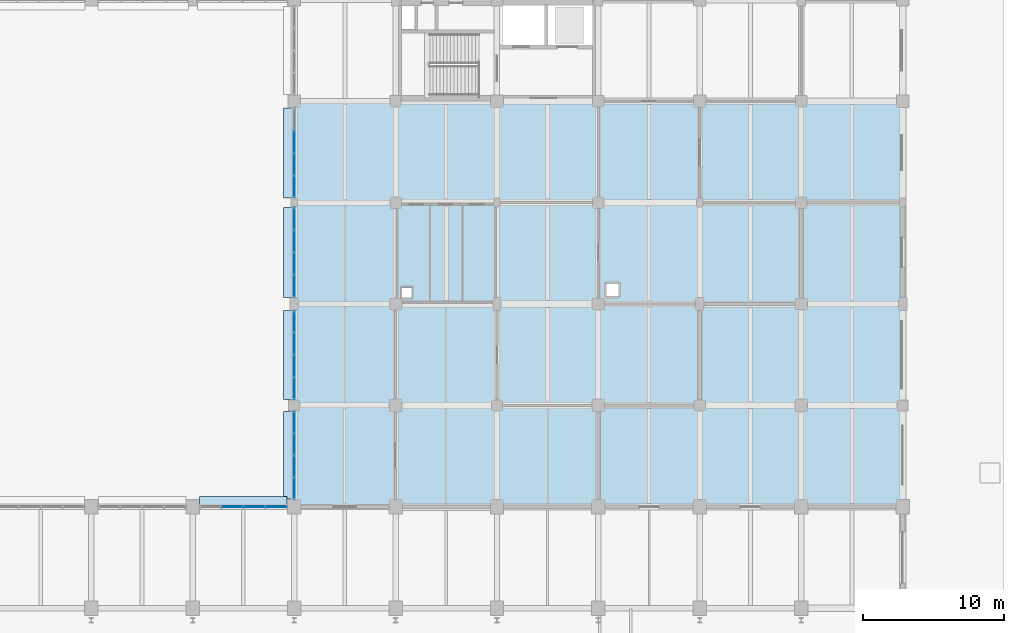
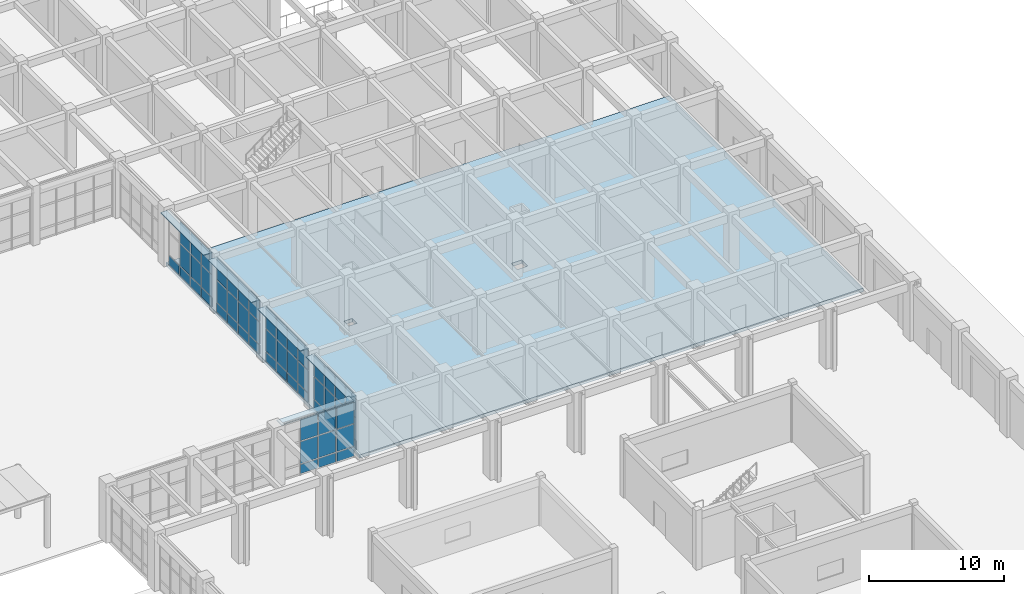
# One storey, part 130 of 160: 60 plates, 1 slab, 5 elements without a shape of their own.
"""IFC4 building model written with IfcOpenShell, lengths in metres."""

from ifc_helpers import new_model, si_unit, direction, frame, origin, origin_2d, place, context, subcontext, project, spatial, polyline, rectangle, outline, extrude, material, layer, layer_set, type_object, element, aggregate, save


model = new_model("IFC4")

# Units and contexts
model_context = context("Model", 3, precision=1e-05, world=origin(), true_north=direction((0.0, 1.0)))
body_context = subcontext(model_context, "Body", "Model", "MODEL_VIEW")
ifc_project = project(units=[si_unit("LENGTHUNIT", "METRE"), si_unit("AREAUNIT", "SQUARE_METRE"), si_unit("VOLUMEUNIT", "CUBIC_METRE"), si_unit("PLANEANGLEUNIT", "RADIAN"), si_unit("MASSUNIT", "GRAM", prefix="KILO")], contexts=[model_context])

# Site, building, storey
site_placement = place(None, origin())
site = spatial("IfcSite", under=ifc_project, at=site_placement, CompositionType="ELEMENT")
building_placement = place(site_placement, origin())
building = spatial("IfcBuilding", under=site, at=building_placement, Name="Thalmaran Polytechnic", CompositionType="ELEMENT")
storey_placement = place(building_placement, origin())
storey = spatial("IfcBuildingStorey", under=building, at=storey_placement, Name="L00", CompositionType="ELEMENT", Elevation=0.0)

# Plates
ifc_material_1 = material(Name="Anodised aluminium sun-hood eyebrow", Category="aluminium")
ifc_layer_1 = layer(ifc_material_1, 0.0849609375, Name="Anodised aluminium sun-hood eyebrow")
ifc_layer_set_1 = layer_set([ifc_layer_1], Name="Anodised aluminium sun-hood eyebrow")
plate_type_1 = type_object("IfcPlateType", Name="PT-EB01", PredefinedType="SHEET", material=ifc_layer_set_1)
plate_1_placement = place(storey_placement, frame((126.0, 57.9599609375, 4.987548828125), z_axis=(0.0, 0.0, 1.0), x_axis=(1.0, 0.0, 0.0)))
element("IfcPlate", 1, at=plate_1_placement, inside=storey, type_object=plate_type_1, Name="Streamline Sun-Hood Eyebrow L00-CW066", PredefinedType="SHEET", context=body_context, shape_type="SweptSolid", body=[
    extrude(rectangle(XDim=6.2099609375, YDim=0.760009765625, at=origin_2d()), origin(), (0.0, 0.0, 1.0), 0.0849609375),
])
plate_2_placement = place(storey_placement, frame((129.239990234375, 61.262451171875, 4.987548828125), z_axis=(0.0, 0.0, 1.0), x_axis=(0.0, 1.0, 0.0)))
element("IfcPlate", 2, at=plate_2_placement, inside=storey, type_object=plate_type_1, Name="Streamline Sun-Hood Eyebrow L00-CW067", PredefinedType="SHEET", context=body_context, shape_type="SweptSolid", body=[
    extrude(rectangle(XDim=6.235107421875, YDim=0.760009765625, at=origin_2d()), origin(), (0.0, 0.0, 1.0), 0.0849609375),
])
plate_3_placement = place(storey_placement, frame((129.239990234375, 68.375, 4.987548828125), z_axis=(0.0, 0.0, 1.0), x_axis=(0.0, 1.0, 0.0)))
element("IfcPlate", 3, at=plate_3_placement, inside=storey, type_object=plate_type_1, Name="Streamline Sun-Hood Eyebrow L00-CW068", PredefinedType="SHEET", context=body_context, shape_type="SweptSolid", body=[
    extrude(rectangle(XDim=6.31005859375, YDim=0.760009765625, at=origin_2d()), origin(), (0.0, 0.0, 1.0), 0.0849609375),
])
for number, where, z_axis, x_axis, name in (
    (4, (129.239990234375, 75.66259765625, 4.987548828125), (0.0, 0.0, 1.0), (0.0, 1.0, 0.0), "Streamline Sun-Hood Eyebrow L00-CW069"),
    (5, (129.239990234375, 82.737548828125, 4.987548828125), (0.0, 0.0, 1.0), (0.0, 1.0, 0.0), "Streamline Sun-Hood Eyebrow L00-CW070"),
):
    element("IfcPlate", number, at=place(storey_placement, frame(where, z_axis=z_axis, x_axis=x_axis)), inside=storey, type_object=plate_type_1, Name=name, PredefinedType="SHEET", context=body_context, shape_type="SweptSolid", body=[
        extrude(rectangle(XDim=6.385009765625, YDim=0.760009765625, at=origin_2d()), origin(), (0.0, 0.0, 1.0), 0.0849609375),
    ])

# Curtain wall, plates
ifc_material_2 = material(Name="Aluminium 6063-T6", Category="aluminium")
curtain_wall_type = type_object("IfcCurtainWallType", Name="CW-UC01", PredefinedType="USERDEFINED", material=ifc_material_2)
curtain_wall_1_placement = place(storey_placement, origin())
curtain_wall_1 = element("IfcCurtainWall", 6, at=curtain_wall_1_placement, inside=storey, type_object=curtain_wall_type, Name="Curtain Wall CW-L00-070", ObjectType="UNITISED CURTAIN WALL", PredefinedType="USERDEFINED")
ifc_material_3 = material(Name="Solar-control double low-E glass", Category="glass")
ifc_layer_2 = layer(ifc_material_3, 0.035888671875, Name="Solar-control double low-E glass")
ifc_layer_set_2 = layer_set([ifc_layer_2], Name="Solar-control double low-E glass")
plate_type_2 = type_object("IfcPlateType", Name="PT-GL01", PredefinedType="CURTAIN_PANEL", material=ifc_layer_set_2)
plate_4_placement = place(storey_placement, frame((129.60009765625, 80.328125, 1.0), z_axis=(0.0, 0.0, 1.0), x_axis=(0.0, 1.0, 0.0)))
plate_4 = element("IfcPlate", 7, at=plate_4_placement, type_object=plate_type_2, Name="CW-L00-070 Vision Panel 1-2", PredefinedType="CURTAIN_PANEL", context=body_context, shape_type="SweptSolid", body=[
    extrude(rectangle(XDim=1.506103515625, YDim=0.035888671875, at=origin_2d()), origin(), (0.0, 0.0, 1.0), 1.985107421875),
])
plate_5_placement = place(storey_placement, frame((129.60009765625, 80.328125, 3.06494140625), z_axis=(0.0, 0.0, 1.0), x_axis=(0.0, 1.0, 0.0)))
plate_5 = element("IfcPlate", 8, at=plate_5_placement, type_object=plate_type_2, Name="CW-L00-070 Vision Panel 1-3", PredefinedType="CURTAIN_PANEL", context=body_context, shape_type="SweptSolid", body=[
    extrude(rectangle(XDim=1.506103515625, YDim=0.035888671875, at=origin_2d()), origin(), (0.0, 0.0, 1.0), 1.925048828125),
])
plate_6_placement = place(storey_placement, frame((129.60009765625, 81.934326171875, 1.0), z_axis=(0.0, 0.0, 1.0), x_axis=(0.0, 1.0, 0.0)))
plate_6 = element("IfcPlate", 9, at=plate_6_placement, type_object=plate_type_2, Name="CW-L00-070 Vision Panel 2-2", PredefinedType="CURTAIN_PANEL", context=body_context, shape_type="SweptSolid", body=[
    extrude(rectangle(XDim=1.506103515625, YDim=0.035888671875, at=origin_2d()), origin(), (0.0, 0.0, 1.0), 1.985107421875),
])
plate_7_placement = place(storey_placement, frame((129.60009765625, 81.934326171875, 3.06494140625), z_axis=(0.0, 0.0, 1.0), x_axis=(0.0, 1.0, 0.0)))
plate_7 = element("IfcPlate", 10, at=plate_7_placement, type_object=plate_type_2, Name="CW-L00-070 Vision Panel 2-3", PredefinedType="CURTAIN_PANEL", context=body_context, shape_type="SweptSolid", body=[
    extrude(rectangle(XDim=1.506103515625, YDim=0.035888671875, at=origin_2d()), origin(), (0.0, 0.0, 1.0), 1.925048828125),
])
plate_8_placement = place(storey_placement, frame((129.60009765625, 83.54052734375, 1.0), z_axis=(0.0, 0.0, 1.0), x_axis=(0.0, 1.0, 0.0)))
plate_8 = element("IfcPlate", 11, at=plate_8_placement, type_object=plate_type_2, Name="CW-L00-070 Vision Panel 3-2", PredefinedType="CURTAIN_PANEL", context=body_context, shape_type="SweptSolid", body=[
    extrude(rectangle(XDim=1.506103515625, YDim=0.035888671875, at=origin_2d()), origin(), (0.0, 0.0, 1.0), 1.985107421875),
])
plate_9_placement = place(storey_placement, frame((129.60009765625, 83.54052734375, 3.06494140625), z_axis=(0.0, 0.0, 1.0), x_axis=(0.0, 1.0, 0.0)))
plate_9 = element("IfcPlate", 12, at=plate_9_placement, type_object=plate_type_2, Name="CW-L00-070 Vision Panel 3-3", PredefinedType="CURTAIN_PANEL", context=body_context, shape_type="SweptSolid", body=[
    extrude(rectangle(XDim=1.506103515625, YDim=0.035888671875, at=origin_2d()), origin(), (0.0, 0.0, 1.0), 1.925048828125),
])

curtain_wall_2_placement = place(storey_placement, origin())
curtain_wall_2 = element("IfcCurtainWall", 13, at=curtain_wall_2_placement, inside=storey, type_object=curtain_wall_type, Name="Curtain Wall CW-L00-066", ObjectType="UNITISED CURTAIN WALL", PredefinedType="USERDEFINED")
ifc_layer_3 = layer(ifc_material_3, 0.035888671875, Name="Solar-control double low-E glass")
ifc_layer_set_3 = layer_set([ifc_layer_3], Name="Solar-control double low-E glass")
plate_type_3 = type_object("IfcPlateType", Name="PT-GL02", PredefinedType="CURTAIN_PANEL", material=ifc_layer_set_3)
plate_10_placement = place(storey_placement, frame((125.21875, 57.60009765625, 1.0), z_axis=(0.0, 0.0, 1.0), x_axis=(1.0, 0.0, 0.0)))
plate_10 = element("IfcPlate", 14, at=plate_10_placement, type_object=plate_type_3, Name="CW-L00-066 Vision Panel 2-2", PredefinedType="CURTAIN_PANEL", context=body_context, shape_type="SweptSolid", body=[
    extrude(rectangle(XDim=1.46240234375, YDim=0.035888671875, at=origin_2d()), origin(), (0.0, 0.0, 1.0), 1.985107421875),
])
plate_11_placement = place(storey_placement, frame((125.21875, 57.60009765625, 3.06494140625), z_axis=(0.0, 0.0, 1.0), x_axis=(1.0, 0.0, 0.0)))
plate_11 = element("IfcPlate", 15, at=plate_11_placement, type_object=plate_type_3, Name="CW-L00-066 Vision Panel 2-3", PredefinedType="CURTAIN_PANEL", context=body_context, shape_type="SweptSolid", body=[
    extrude(rectangle(XDim=1.46240234375, YDim=0.035888671875, at=origin_2d()), origin(), (0.0, 0.0, 1.0), 1.925048828125),
])
plate_12_placement = place(storey_placement, frame((126.78125, 57.60009765625, 1.0), z_axis=(0.0, 0.0, 1.0), x_axis=(1.0, 0.0, 0.0)))
plate_12 = element("IfcPlate", 16, at=plate_12_placement, type_object=plate_type_3, Name="CW-L00-066 Vision Panel 3-2", PredefinedType="CURTAIN_PANEL", context=body_context, shape_type="SweptSolid", body=[
    extrude(rectangle(XDim=1.46240234375, YDim=0.035888671875, at=origin_2d()), origin(), (0.0, 0.0, 1.0), 1.985107421875),
])
plate_13_placement = place(storey_placement, frame((126.78125, 57.60009765625, 3.06494140625), z_axis=(0.0, 0.0, 1.0), x_axis=(1.0, 0.0, 0.0)))
plate_13 = element("IfcPlate", 17, at=plate_13_placement, type_object=plate_type_3, Name="CW-L00-066 Vision Panel 3-3", PredefinedType="CURTAIN_PANEL", context=body_context, shape_type="SweptSolid", body=[
    extrude(rectangle(XDim=1.46240234375, YDim=0.035888671875, at=origin_2d()), origin(), (0.0, 0.0, 1.0), 1.925048828125),
])
plate_14_placement = place(storey_placement, frame((128.34375, 57.60009765625, 1.0), z_axis=(0.0, 0.0, 1.0), x_axis=(1.0, 0.0, 0.0)))
plate_14 = element("IfcPlate", 18, at=plate_14_placement, type_object=plate_type_3, Name="CW-L00-066 Vision Panel 4-2", PredefinedType="CURTAIN_PANEL", context=body_context, shape_type="SweptSolid", body=[
    extrude(rectangle(XDim=1.46240234375, YDim=0.035888671875, at=origin_2d()), origin(), (0.0, 0.0, 1.0), 1.985107421875),
])
plate_15_placement = place(storey_placement, frame((128.34375, 57.60009765625, 3.06494140625), z_axis=(0.0, 0.0, 1.0), x_axis=(1.0, 0.0, 0.0)))
plate_15 = element("IfcPlate", 19, at=plate_15_placement, type_object=plate_type_3, Name="CW-L00-066 Vision Panel 4-3", PredefinedType="CURTAIN_PANEL", context=body_context, shape_type="SweptSolid", body=[
    extrude(rectangle(XDim=1.46240234375, YDim=0.035888671875, at=origin_2d()), origin(), (0.0, 0.0, 1.0), 1.925048828125),
])

curtain_wall_3_placement = place(storey_placement, origin())
curtain_wall_3 = element("IfcCurtainWall", 20, at=curtain_wall_3_placement, inside=storey, type_object=curtain_wall_type, Name="Curtain Wall CW-L00-067", ObjectType="UNITISED CURTAIN WALL", PredefinedType="USERDEFINED")
ifc_layer_4 = layer(ifc_material_3, 0.035888671875, Name="Solar-control double low-E glass")
ifc_layer_set_4 = layer_set([ifc_layer_4], Name="Solar-control double low-E glass")
plate_type_4 = type_object("IfcPlateType", Name="PT-GL03", PredefinedType="CURTAIN_PANEL", material=ifc_layer_set_4)
plate_16_placement = place(storey_placement, frame((129.60009765625, 58.909423828125, 1.0), z_axis=(0.0, 0.0, 1.0), x_axis=(0.0, 1.0, 0.0)))
plate_16 = element("IfcPlate", 21, at=plate_16_placement, type_object=plate_type_4, Name="CW-L00-067 Vision Panel 1-2", PredefinedType="CURTAIN_PANEL", context=body_context, shape_type="SweptSolid", body=[
    extrude(rectangle(XDim=1.46875, YDim=0.035888671875, at=origin_2d()), origin(), (0.0, 0.0, 1.0), 1.985107421875),
])
plate_17_placement = place(storey_placement, frame((129.60009765625, 58.909423828125, 3.06494140625), z_axis=(0.0, 0.0, 1.0), x_axis=(0.0, 1.0, 0.0)))
plate_17 = element("IfcPlate", 22, at=plate_17_placement, type_object=plate_type_4, Name="CW-L00-067 Vision Panel 1-3", PredefinedType="CURTAIN_PANEL", context=body_context, shape_type="SweptSolid", body=[
    extrude(rectangle(XDim=1.46875, YDim=0.035888671875, at=origin_2d()), origin(), (0.0, 0.0, 1.0), 1.925048828125),
])
plate_18_placement = place(storey_placement, frame((129.60009765625, 60.47802734375, 1.0), z_axis=(0.0, 0.0, 1.0), x_axis=(0.0, 1.0, 0.0)))
plate_18 = element("IfcPlate", 23, at=plate_18_placement, type_object=plate_type_4, Name="CW-L00-067 Vision Panel 2-2", PredefinedType="CURTAIN_PANEL", context=body_context, shape_type="SweptSolid", body=[
    extrude(rectangle(XDim=1.46875, YDim=0.035888671875, at=origin_2d()), origin(), (0.0, 0.0, 1.0), 1.985107421875),
])
plate_19_placement = place(storey_placement, frame((129.60009765625, 60.47802734375, 3.06494140625), z_axis=(0.0, 0.0, 1.0), x_axis=(0.0, 1.0, 0.0)))
plate_19 = element("IfcPlate", 24, at=plate_19_placement, type_object=plate_type_4, Name="CW-L00-067 Vision Panel 2-3", PredefinedType="CURTAIN_PANEL", context=body_context, shape_type="SweptSolid", body=[
    extrude(rectangle(XDim=1.46875, YDim=0.035888671875, at=origin_2d()), origin(), (0.0, 0.0, 1.0), 1.925048828125),
])
plate_20_placement = place(storey_placement, frame((129.60009765625, 62.046875, 1.0), z_axis=(0.0, 0.0, 1.0), x_axis=(0.0, 1.0, 0.0)))
plate_20 = element("IfcPlate", 25, at=plate_20_placement, type_object=plate_type_4, Name="CW-L00-067 Vision Panel 3-2", PredefinedType="CURTAIN_PANEL", context=body_context, shape_type="SweptSolid", body=[
    extrude(rectangle(XDim=1.46875, YDim=0.035888671875, at=origin_2d()), origin(), (0.0, 0.0, 1.0), 1.985107421875),
])
plate_21_placement = place(storey_placement, frame((129.60009765625, 62.046875, 3.06494140625), z_axis=(0.0, 0.0, 1.0), x_axis=(0.0, 1.0, 0.0)))
plate_21 = element("IfcPlate", 26, at=plate_21_placement, type_object=plate_type_4, Name="CW-L00-067 Vision Panel 3-3", PredefinedType="CURTAIN_PANEL", context=body_context, shape_type="SweptSolid", body=[
    extrude(rectangle(XDim=1.46875, YDim=0.035888671875, at=origin_2d()), origin(), (0.0, 0.0, 1.0), 1.925048828125),
])
plate_22_placement = place(storey_placement, frame((129.60009765625, 63.61572265625, 1.0), z_axis=(0.0, 0.0, 1.0), x_axis=(0.0, 1.0, 0.0)))
plate_22 = element("IfcPlate", 27, at=plate_22_placement, type_object=plate_type_4, Name="CW-L00-067 Vision Panel 4-2", PredefinedType="CURTAIN_PANEL", context=body_context, shape_type="SweptSolid", body=[
    extrude(rectangle(XDim=1.46875, YDim=0.035888671875, at=origin_2d()), origin(), (0.0, 0.0, 1.0), 1.985107421875),
])
plate_23_placement = place(storey_placement, frame((129.60009765625, 63.61572265625, 3.06494140625), z_axis=(0.0, 0.0, 1.0), x_axis=(0.0, 1.0, 0.0)))
plate_23 = element("IfcPlate", 28, at=plate_23_placement, type_object=plate_type_4, Name="CW-L00-067 Vision Panel 4-3", PredefinedType="CURTAIN_PANEL", context=body_context, shape_type="SweptSolid", body=[
    extrude(rectangle(XDim=1.46875, YDim=0.035888671875, at=origin_2d()), origin(), (0.0, 0.0, 1.0), 1.925048828125),
])

curtain_wall_4_placement = place(storey_placement, origin())
curtain_wall_4 = element("IfcCurtainWall", 29, at=curtain_wall_4_placement, inside=storey, type_object=curtain_wall_type, Name="Curtain Wall CW-L00-068", ObjectType="UNITISED CURTAIN WALL", PredefinedType="USERDEFINED")
ifc_layer_5 = layer(ifc_material_3, 0.035888671875, Name="Solar-control double low-E glass")
ifc_layer_set_5 = layer_set([ifc_layer_5], Name="Solar-control double low-E glass")
plate_type_5 = type_object("IfcPlateType", Name="PT-GL04", PredefinedType="CURTAIN_PANEL", material=ifc_layer_set_5)
plate_24_placement = place(storey_placement, frame((129.60009765625, 65.99365234375, 1.0), z_axis=(0.0, 0.0, 1.0), x_axis=(0.0, 1.0, 0.0)))
plate_24 = element("IfcPlate", 30, at=plate_24_placement, type_object=plate_type_5, Name="CW-L00-068 Vision Panel 1-2", PredefinedType="CURTAIN_PANEL", context=body_context, shape_type="SweptSolid", body=[
    extrude(rectangle(XDim=1.487548828125, YDim=0.035888671875, at=origin_2d()), origin(), (0.0, 0.0, 1.0), 1.985107421875),
])
plate_25_placement = place(storey_placement, frame((129.60009765625, 65.99365234375, 3.06494140625), z_axis=(0.0, 0.0, 1.0), x_axis=(0.0, 1.0, 0.0)))
plate_25 = element("IfcPlate", 31, at=plate_25_placement, type_object=plate_type_5, Name="CW-L00-068 Vision Panel 1-3", PredefinedType="CURTAIN_PANEL", context=body_context, shape_type="SweptSolid", body=[
    extrude(rectangle(XDim=1.487548828125, YDim=0.035888671875, at=origin_2d()), origin(), (0.0, 0.0, 1.0), 1.925048828125),
])
plate_26_placement = place(storey_placement, frame((129.60009765625, 67.581298828125, 1.0), z_axis=(0.0, 0.0, 1.0), x_axis=(0.0, 1.0, 0.0)))
plate_26 = element("IfcPlate", 32, at=plate_26_placement, type_object=plate_type_5, Name="CW-L00-068 Vision Panel 2-2", PredefinedType="CURTAIN_PANEL", context=body_context, shape_type="SweptSolid", body=[
    extrude(rectangle(XDim=1.487548828125, YDim=0.035888671875, at=origin_2d()), origin(), (0.0, 0.0, 1.0), 1.985107421875),
])
plate_27_placement = place(storey_placement, frame((129.60009765625, 67.581298828125, 3.06494140625), z_axis=(0.0, 0.0, 1.0), x_axis=(0.0, 1.0, 0.0)))
plate_27 = element("IfcPlate", 33, at=plate_27_placement, type_object=plate_type_5, Name="CW-L00-068 Vision Panel 2-3", PredefinedType="CURTAIN_PANEL", context=body_context, shape_type="SweptSolid", body=[
    extrude(rectangle(XDim=1.487548828125, YDim=0.035888671875, at=origin_2d()), origin(), (0.0, 0.0, 1.0), 1.925048828125),
])
plate_28_placement = place(storey_placement, frame((129.60009765625, 69.168701171875, 1.0), z_axis=(0.0, 0.0, 1.0), x_axis=(0.0, 1.0, 0.0)))
plate_28 = element("IfcPlate", 34, at=plate_28_placement, type_object=plate_type_5, Name="CW-L00-068 Vision Panel 3-2", PredefinedType="CURTAIN_PANEL", context=body_context, shape_type="SweptSolid", body=[
    extrude(rectangle(XDim=1.487548828125, YDim=0.035888671875, at=origin_2d()), origin(), (0.0, 0.0, 1.0), 1.985107421875),
])
plate_29_placement = place(storey_placement, frame((129.60009765625, 69.168701171875, 3.06494140625), z_axis=(0.0, 0.0, 1.0), x_axis=(0.0, 1.0, 0.0)))
plate_29 = element("IfcPlate", 35, at=plate_29_placement, type_object=plate_type_5, Name="CW-L00-068 Vision Panel 3-3", PredefinedType="CURTAIN_PANEL", context=body_context, shape_type="SweptSolid", body=[
    extrude(rectangle(XDim=1.487548828125, YDim=0.035888671875, at=origin_2d()), origin(), (0.0, 0.0, 1.0), 1.925048828125),
])
plate_30_placement = place(storey_placement, frame((129.60009765625, 70.75634765625, 1.0), z_axis=(0.0, 0.0, 1.0), x_axis=(0.0, 1.0, 0.0)))
plate_30 = element("IfcPlate", 36, at=plate_30_placement, type_object=plate_type_5, Name="CW-L00-068 Vision Panel 4-2", PredefinedType="CURTAIN_PANEL", context=body_context, shape_type="SweptSolid", body=[
    extrude(rectangle(XDim=1.487548828125, YDim=0.035888671875, at=origin_2d()), origin(), (0.0, 0.0, 1.0), 1.985107421875),
])
plate_31_placement = place(storey_placement, frame((129.60009765625, 70.75634765625, 3.06494140625), z_axis=(0.0, 0.0, 1.0), x_axis=(0.0, 1.0, 0.0)))
plate_31 = element("IfcPlate", 37, at=plate_31_placement, type_object=plate_type_5, Name="CW-L00-068 Vision Panel 4-3", PredefinedType="CURTAIN_PANEL", context=body_context, shape_type="SweptSolid", body=[
    extrude(rectangle(XDim=1.487548828125, YDim=0.035888671875, at=origin_2d()), origin(), (0.0, 0.0, 1.0), 1.925048828125),
])

curtain_wall_5_placement = place(storey_placement, origin())
curtain_wall_5 = element("IfcCurtainWall", 38, at=curtain_wall_5_placement, inside=storey, type_object=curtain_wall_type, Name="Curtain Wall CW-L00-069", ObjectType="UNITISED CURTAIN WALL", PredefinedType="USERDEFINED")
ifc_layer_6 = layer(ifc_material_3, 0.035888671875, Name="Solar-control double low-E glass")
ifc_layer_set_6 = layer_set([ifc_layer_6], Name="Solar-control double low-E glass")
plate_type_6 = type_object("IfcPlateType", Name="PT-GL05", PredefinedType="CURTAIN_PANEL", material=ifc_layer_set_6)
plate_32_placement = place(storey_placement, frame((129.60009765625, 73.253173828125, 1.0), z_axis=(0.0, 0.0, 1.0), x_axis=(0.0, 1.0, 0.0)))
plate_32 = element("IfcPlate", 39, at=plate_32_placement, type_object=plate_type_6, Name="CW-L00-069 Vision Panel 1-2", PredefinedType="CURTAIN_PANEL", context=body_context, shape_type="SweptSolid", body=[
    extrude(rectangle(XDim=1.506103515625, YDim=0.035888671875, at=origin_2d()), origin(), (0.0, 0.0, 1.0), 1.985107421875),
])
plate_33_placement = place(storey_placement, frame((129.60009765625, 73.253173828125, 3.06494140625), z_axis=(0.0, 0.0, 1.0), x_axis=(0.0, 1.0, 0.0)))
plate_33 = element("IfcPlate", 40, at=plate_33_placement, type_object=plate_type_6, Name="CW-L00-069 Vision Panel 1-3", PredefinedType="CURTAIN_PANEL", context=body_context, shape_type="SweptSolid", body=[
    extrude(rectangle(XDim=1.506103515625, YDim=0.035888671875, at=origin_2d()), origin(), (0.0, 0.0, 1.0), 1.925048828125),
])
plate_34_placement = place(storey_placement, frame((129.60009765625, 74.859375, 1.0), z_axis=(0.0, 0.0, 1.0), x_axis=(0.0, 1.0, 0.0)))
plate_34 = element("IfcPlate", 41, at=plate_34_placement, type_object=plate_type_6, Name="CW-L00-069 Vision Panel 2-2", PredefinedType="CURTAIN_PANEL", context=body_context, shape_type="SweptSolid", body=[
    extrude(rectangle(XDim=1.506103515625, YDim=0.035888671875, at=origin_2d()), origin(), (0.0, 0.0, 1.0), 1.985107421875),
])
plate_35_placement = place(storey_placement, frame((129.60009765625, 74.859375, 3.06494140625), z_axis=(0.0, 0.0, 1.0), x_axis=(0.0, 1.0, 0.0)))
plate_35 = element("IfcPlate", 42, at=plate_35_placement, type_object=plate_type_6, Name="CW-L00-069 Vision Panel 2-3", PredefinedType="CURTAIN_PANEL", context=body_context, shape_type="SweptSolid", body=[
    extrude(rectangle(XDim=1.506103515625, YDim=0.035888671875, at=origin_2d()), origin(), (0.0, 0.0, 1.0), 1.925048828125),
])
plate_36_placement = place(storey_placement, frame((129.60009765625, 76.465576171875, 1.0), z_axis=(0.0, 0.0, 1.0), x_axis=(0.0, 1.0, 0.0)))
plate_36 = element("IfcPlate", 43, at=plate_36_placement, type_object=plate_type_6, Name="CW-L00-069 Vision Panel 3-2", PredefinedType="CURTAIN_PANEL", context=body_context, shape_type="SweptSolid", body=[
    extrude(rectangle(XDim=1.506103515625, YDim=0.035888671875, at=origin_2d()), origin(), (0.0, 0.0, 1.0), 1.985107421875),
])
plate_37_placement = place(storey_placement, frame((129.60009765625, 76.465576171875, 3.06494140625), z_axis=(0.0, 0.0, 1.0), x_axis=(0.0, 1.0, 0.0)))
plate_37 = element("IfcPlate", 44, at=plate_37_placement, type_object=plate_type_6, Name="CW-L00-069 Vision Panel 3-3", PredefinedType="CURTAIN_PANEL", context=body_context, shape_type="SweptSolid", body=[
    extrude(rectangle(XDim=1.506103515625, YDim=0.035888671875, at=origin_2d()), origin(), (0.0, 0.0, 1.0), 1.925048828125),
])
plate_38_placement = place(storey_placement, frame((129.60009765625, 78.07177734375, 1.0), z_axis=(0.0, 0.0, 1.0), x_axis=(0.0, 1.0, 0.0)))
plate_38 = element("IfcPlate", 45, at=plate_38_placement, type_object=plate_type_6, Name="CW-L00-069 Vision Panel 4-2", PredefinedType="CURTAIN_PANEL", context=body_context, shape_type="SweptSolid", body=[
    extrude(rectangle(XDim=1.506103515625, YDim=0.035888671875, at=origin_2d()), origin(), (0.0, 0.0, 1.0), 1.985107421875),
])
plate_39_placement = place(storey_placement, frame((129.60009765625, 78.07177734375, 3.06494140625), z_axis=(0.0, 0.0, 1.0), x_axis=(0.0, 1.0, 0.0)))
plate_39 = element("IfcPlate", 46, at=plate_39_placement, type_object=plate_type_6, Name="CW-L00-069 Vision Panel 4-3", PredefinedType="CURTAIN_PANEL", context=body_context, shape_type="SweptSolid", body=[
    extrude(rectangle(XDim=1.506103515625, YDim=0.035888671875, at=origin_2d()), origin(), (0.0, 0.0, 1.0), 1.925048828125),
])

# Plate
ifc_material_4 = material(Name="Insulated anodised aluminium spandrel", Category="aluminium")
ifc_layer_7 = layer(ifc_material_4, 0.06005859375, Name="Insulated anodised aluminium spandrel")
ifc_layer_set_7 = layer_set([ifc_layer_7], Name="Insulated anodised aluminium spandrel")
plate_type_7 = type_object("IfcPlateType", Name="PT-SP01", PredefinedType="CURTAIN_PANEL", material=ifc_layer_set_7)
plate_40_placement = place(storey_placement, frame((125.21875, 57.60009765625, 0.10009765625), z_axis=(0.0, 0.0, 1.0), x_axis=(1.0, 0.0, 0.0)))
plate_40 = element("IfcPlate", 47, at=plate_40_placement, type_object=plate_type_7, Name="CW-L00-066 Spandrel Panel 2-1", PredefinedType="CURTAIN_PANEL", context=body_context, shape_type="SweptSolid", body=[
    extrude(rectangle(XDim=1.46240234375, YDim=0.06005859375, at=origin_2d()), origin(), (0.0, 0.0, 1.0), 0.820068359375),
])

plate_41_placement = place(storey_placement, frame((126.78125, 57.60009765625, 0.10009765625), z_axis=(0.0, 0.0, 1.0), x_axis=(1.0, 0.0, 0.0)))
plate_41 = element("IfcPlate", 48, at=plate_41_placement, type_object=plate_type_7, Name="CW-L00-066 Spandrel Panel 3-1", PredefinedType="CURTAIN_PANEL", context=body_context, shape_type="SweptSolid", body=[
    extrude(rectangle(XDim=1.46240234375, YDim=0.06005859375, at=origin_2d()), origin(), (0.0, 0.0, 1.0), 0.820068359375),
])

plate_42_placement = place(storey_placement, frame((128.34375, 57.60009765625, 0.10009765625), z_axis=(0.0, 0.0, 1.0), x_axis=(1.0, 0.0, 0.0)))
plate_42 = element("IfcPlate", 49, at=plate_42_placement, type_object=plate_type_7, Name="CW-L00-066 Spandrel Panel 4-1", PredefinedType="CURTAIN_PANEL", context=body_context, shape_type="SweptSolid", body=[
    extrude(rectangle(XDim=1.46240234375, YDim=0.06005859375, at=origin_2d()), origin(), (0.0, 0.0, 1.0), 0.820068359375),
])

aggregate(curtain_wall_2, [plate_40, plate_10, plate_11, plate_41, plate_12, plate_13, plate_42, plate_14, plate_15])

plate_43_placement = place(storey_placement, frame((129.60009765625, 73.253173828125, 0.10009765625), z_axis=(0.0, 0.0, 1.0), x_axis=(0.0, 1.0, 0.0)))
plate_43 = element("IfcPlate", 50, at=plate_43_placement, type_object=plate_type_7, Name="CW-L00-069 Spandrel Panel 1-1", PredefinedType="CURTAIN_PANEL", context=body_context, shape_type="SweptSolid", body=[
    extrude(rectangle(XDim=1.506103515625, YDim=0.06005859375, at=origin_2d()), origin(), (0.0, 0.0, 1.0), 0.820068359375),
])

plate_44_placement = place(storey_placement, frame((129.60009765625, 74.859375, 0.10009765625), z_axis=(0.0, 0.0, 1.0), x_axis=(0.0, 1.0, 0.0)))
plate_44 = element("IfcPlate", 51, at=plate_44_placement, type_object=plate_type_7, Name="CW-L00-069 Spandrel Panel 2-1", PredefinedType="CURTAIN_PANEL", context=body_context, shape_type="SweptSolid", body=[
    extrude(rectangle(XDim=1.506103515625, YDim=0.06005859375, at=origin_2d()), origin(), (0.0, 0.0, 1.0), 0.820068359375),
])

plate_45_placement = place(storey_placement, frame((129.60009765625, 76.465576171875, 0.10009765625), z_axis=(0.0, 0.0, 1.0), x_axis=(0.0, 1.0, 0.0)))
plate_45 = element("IfcPlate", 52, at=plate_45_placement, type_object=plate_type_7, Name="CW-L00-069 Spandrel Panel 3-1", PredefinedType="CURTAIN_PANEL", context=body_context, shape_type="SweptSolid", body=[
    extrude(rectangle(XDim=1.506103515625, YDim=0.06005859375, at=origin_2d()), origin(), (0.0, 0.0, 1.0), 0.820068359375),
])

plate_46_placement = place(storey_placement, frame((129.60009765625, 78.07177734375, 0.10009765625), z_axis=(0.0, 0.0, 1.0), x_axis=(0.0, 1.0, 0.0)))
plate_46 = element("IfcPlate", 53, at=plate_46_placement, type_object=plate_type_7, Name="CW-L00-069 Spandrel Panel 4-1", PredefinedType="CURTAIN_PANEL", context=body_context, shape_type="SweptSolid", body=[
    extrude(rectangle(XDim=1.506103515625, YDim=0.06005859375, at=origin_2d()), origin(), (0.0, 0.0, 1.0), 0.820068359375),
])

aggregate(curtain_wall_5, [plate_43, plate_32, plate_33, plate_44, plate_34, plate_35, plate_45, plate_36, plate_37, plate_46, plate_38, plate_39])

ifc_layer_8 = layer(ifc_material_4, 0.06005859375, Name="Insulated anodised aluminium spandrel")
ifc_layer_set_8 = layer_set([ifc_layer_8], Name="Insulated anodised aluminium spandrel")
plate_type_8 = type_object("IfcPlateType", Name="PT-SP02", PredefinedType="CURTAIN_PANEL", material=ifc_layer_set_8)
plate_47_placement = place(storey_placement, frame((129.60009765625, 58.909423828125, 0.10009765625), z_axis=(0.0, 0.0, 1.0), x_axis=(0.0, 1.0, 0.0)))
plate_47 = element("IfcPlate", 54, at=plate_47_placement, type_object=plate_type_8, Name="CW-L00-067 Spandrel Panel 1-1", PredefinedType="CURTAIN_PANEL", context=body_context, shape_type="SweptSolid", body=[
    extrude(rectangle(XDim=1.46875, YDim=0.06005859375, at=origin_2d()), origin(), (0.0, 0.0, 1.0), 0.820068359375),
])

plate_48_placement = place(storey_placement, frame((129.60009765625, 60.47802734375, 0.10009765625), z_axis=(0.0, 0.0, 1.0), x_axis=(0.0, 1.0, 0.0)))
plate_48 = element("IfcPlate", 55, at=plate_48_placement, type_object=plate_type_8, Name="CW-L00-067 Spandrel Panel 2-1", PredefinedType="CURTAIN_PANEL", context=body_context, shape_type="SweptSolid", body=[
    extrude(rectangle(XDim=1.46875, YDim=0.06005859375, at=origin_2d()), origin(), (0.0, 0.0, 1.0), 0.820068359375),
])

plate_49_placement = place(storey_placement, frame((129.60009765625, 62.046875, 0.10009765625), z_axis=(0.0, 0.0, 1.0), x_axis=(0.0, 1.0, 0.0)))
plate_49 = element("IfcPlate", 56, at=plate_49_placement, type_object=plate_type_8, Name="CW-L00-067 Spandrel Panel 3-1", PredefinedType="CURTAIN_PANEL", context=body_context, shape_type="SweptSolid", body=[
    extrude(rectangle(XDim=1.46875, YDim=0.06005859375, at=origin_2d()), origin(), (0.0, 0.0, 1.0), 0.820068359375),
])

plate_50_placement = place(storey_placement, frame((129.60009765625, 63.61572265625, 0.10009765625), z_axis=(0.0, 0.0, 1.0), x_axis=(0.0, 1.0, 0.0)))
plate_50 = element("IfcPlate", 57, at=plate_50_placement, type_object=plate_type_8, Name="CW-L00-067 Spandrel Panel 4-1", PredefinedType="CURTAIN_PANEL", context=body_context, shape_type="SweptSolid", body=[
    extrude(rectangle(XDim=1.46875, YDim=0.06005859375, at=origin_2d()), origin(), (0.0, 0.0, 1.0), 0.820068359375),
])

aggregate(curtain_wall_3, [plate_47, plate_16, plate_17, plate_48, plate_18, plate_19, plate_49, plate_20, plate_21, plate_50, plate_22, plate_23])

plate_51_placement = place(storey_placement, frame((129.60009765625, 80.328125, 0.10009765625), z_axis=(0.0, 0.0, 1.0), x_axis=(0.0, 1.0, 0.0)))
plate_51 = element("IfcPlate", 58, at=plate_51_placement, type_object=plate_type_8, Name="CW-L00-070 Spandrel Panel 1-1", PredefinedType="CURTAIN_PANEL", context=body_context, shape_type="SweptSolid", body=[
    extrude(rectangle(XDim=1.506103515625, YDim=0.06005859375, at=origin_2d()), origin(), (0.0, 0.0, 1.0), 0.820068359375),
])

plate_52_placement = place(storey_placement, frame((129.60009765625, 81.934326171875, 0.10009765625), z_axis=(0.0, 0.0, 1.0), x_axis=(0.0, 1.0, 0.0)))
plate_52 = element("IfcPlate", 59, at=plate_52_placement, type_object=plate_type_8, Name="CW-L00-070 Spandrel Panel 2-1", PredefinedType="CURTAIN_PANEL", context=body_context, shape_type="SweptSolid", body=[
    extrude(rectangle(XDim=1.506103515625, YDim=0.06005859375, at=origin_2d()), origin(), (0.0, 0.0, 1.0), 0.820068359375),
])

plate_53_placement = place(storey_placement, frame((129.60009765625, 83.54052734375, 0.10009765625), z_axis=(0.0, 0.0, 1.0), x_axis=(0.0, 1.0, 0.0)))
plate_53 = element("IfcPlate", 60, at=plate_53_placement, type_object=plate_type_8, Name="CW-L00-070 Spandrel Panel 3-1", PredefinedType="CURTAIN_PANEL", context=body_context, shape_type="SweptSolid", body=[
    extrude(rectangle(XDim=1.506103515625, YDim=0.06005859375, at=origin_2d()), origin(), (0.0, 0.0, 1.0), 0.820068359375),
])

plate_54_placement = place(storey_placement, frame((129.60009765625, 85.14697265625, 0.10009765625), z_axis=(0.0, 0.0, 1.0), x_axis=(0.0, 1.0, 0.0)))
plate_54 = element("IfcPlate", 61, at=plate_54_placement, type_object=plate_type_8, Name="CW-L00-070 Spandrel Panel 4-1", PredefinedType="CURTAIN_PANEL", context=body_context, shape_type="SweptSolid", body=[
    extrude(rectangle(XDim=1.506103515625, YDim=0.06005859375, at=origin_2d()), origin(), (0.0, 0.0, 1.0), 0.820068359375),
])

aggregate(curtain_wall_1, [plate_51, plate_4, plate_5, plate_52, plate_6, plate_7, plate_53, plate_8, plate_9, plate_54])

ifc_layer_9 = layer(ifc_material_4, 0.06005859375, Name="Insulated anodised aluminium spandrel")
ifc_layer_set_9 = layer_set([ifc_layer_9], Name="Insulated anodised aluminium spandrel")
plate_type_9 = type_object("IfcPlateType", Name="PT-SP03", PredefinedType="CURTAIN_PANEL", material=ifc_layer_set_9)
plate_55_placement = place(storey_placement, frame((129.60009765625, 65.99365234375, 0.10009765625), z_axis=(0.0, 0.0, 1.0), x_axis=(0.0, 1.0, 0.0)))
plate_55 = element("IfcPlate", 62, at=plate_55_placement, type_object=plate_type_9, Name="CW-L00-068 Spandrel Panel 1-1", PredefinedType="CURTAIN_PANEL", context=body_context, shape_type="SweptSolid", body=[
    extrude(rectangle(XDim=1.487548828125, YDim=0.06005859375, at=origin_2d()), origin(), (0.0, 0.0, 1.0), 0.820068359375),
])

plate_56_placement = place(storey_placement, frame((129.60009765625, 67.581298828125, 0.10009765625), z_axis=(0.0, 0.0, 1.0), x_axis=(0.0, 1.0, 0.0)))
plate_56 = element("IfcPlate", 63, at=plate_56_placement, type_object=plate_type_9, Name="CW-L00-068 Spandrel Panel 2-1", PredefinedType="CURTAIN_PANEL", context=body_context, shape_type="SweptSolid", body=[
    extrude(rectangle(XDim=1.487548828125, YDim=0.06005859375, at=origin_2d()), origin(), (0.0, 0.0, 1.0), 0.820068359375),
])

plate_57_placement = place(storey_placement, frame((129.60009765625, 69.168701171875, 0.10009765625), z_axis=(0.0, 0.0, 1.0), x_axis=(0.0, 1.0, 0.0)))
plate_57 = element("IfcPlate", 64, at=plate_57_placement, type_object=plate_type_9, Name="CW-L00-068 Spandrel Panel 3-1", PredefinedType="CURTAIN_PANEL", context=body_context, shape_type="SweptSolid", body=[
    extrude(rectangle(XDim=1.487548828125, YDim=0.06005859375, at=origin_2d()), origin(), (0.0, 0.0, 1.0), 0.820068359375),
])

plate_58_placement = place(storey_placement, frame((129.60009765625, 70.75634765625, 0.10009765625), z_axis=(0.0, 0.0, 1.0), x_axis=(0.0, 1.0, 0.0)))
plate_58 = element("IfcPlate", 65, at=plate_58_placement, type_object=plate_type_9, Name="CW-L00-068 Spandrel Panel 4-1", PredefinedType="CURTAIN_PANEL", context=body_context, shape_type="SweptSolid", body=[
    extrude(rectangle(XDim=1.487548828125, YDim=0.06005859375, at=origin_2d()), origin(), (0.0, 0.0, 1.0), 0.820068359375),
])

aggregate(curtain_wall_4, [plate_55, plate_24, plate_25, plate_56, plate_26, plate_27, plate_57, plate_28, plate_29, plate_58, plate_30, plate_31])

# Slab
ifc_material_5 = material(Name="Concrete C40/50", Category="concrete")
ifc_layer_10 = layer(ifc_material_5, 0.31005859375, Name="Concrete C40/50")
ifc_layer_set_10 = layer_set([ifc_layer_10], Name="Concrete C40/50")
slab_type = type_object("IfcSlabType", Name="SL-FL03", PredefinedType="FLOOR", material=ifc_layer_set_10)
slab_placement = place(storey_placement, frame((0.0, 0.0, -0.31005859375)))
element("IfcSlab", 66, at=slab_placement, inside=storey, type_object=slab_type, Name="V5S L00 Structural Slab", PredefinedType="FLOOR", context=body_context, shape_type="SweptSolid", body=[
    extrude(outline(polyline([(136.800048828125, 86.39990234375), (144.0, 86.39990234375), (151.199951171875, 86.39990234375), (158.39990234375, 86.39990234375), (165.60009765625, 86.39990234375), (172.800048828125, 86.39990234375), (172.800048828125, 79.199951171875), (172.800048828125, 72.0), (172.800048828125, 64.800048828125), (172.800048828125, 57.60009765625), (165.60009765625, 57.60009765625), (158.39990234375, 57.60009765625), (151.199951171875, 57.60009765625), (144.0, 57.60009765625), (136.800048828125, 57.60009765625), (129.60009765625, 57.60009765625), (129.60009765625, 64.800048828125), (129.60009765625, 72.0), (129.60009765625, 79.199951171875), (129.60009765625, 86.39990234375), (136.800048828125, 86.39990234375)]), holes=[polyline([(152.64990234375, 73.449951171875), (151.75, 73.449951171875), (151.75, 72.550048828125), (152.64990234375, 72.550048828125), (152.64990234375, 73.449951171875)]), polyline([(137.25, 73.179931640625), (137.25, 72.47998046875), (137.949951171875, 72.47998046875), (137.949951171875, 73.179931640625), (137.25, 73.179931640625)])]), origin(), (0.0, 0.0, 1.0), 0.31005859375),
])

save(model, "model.ifc")
